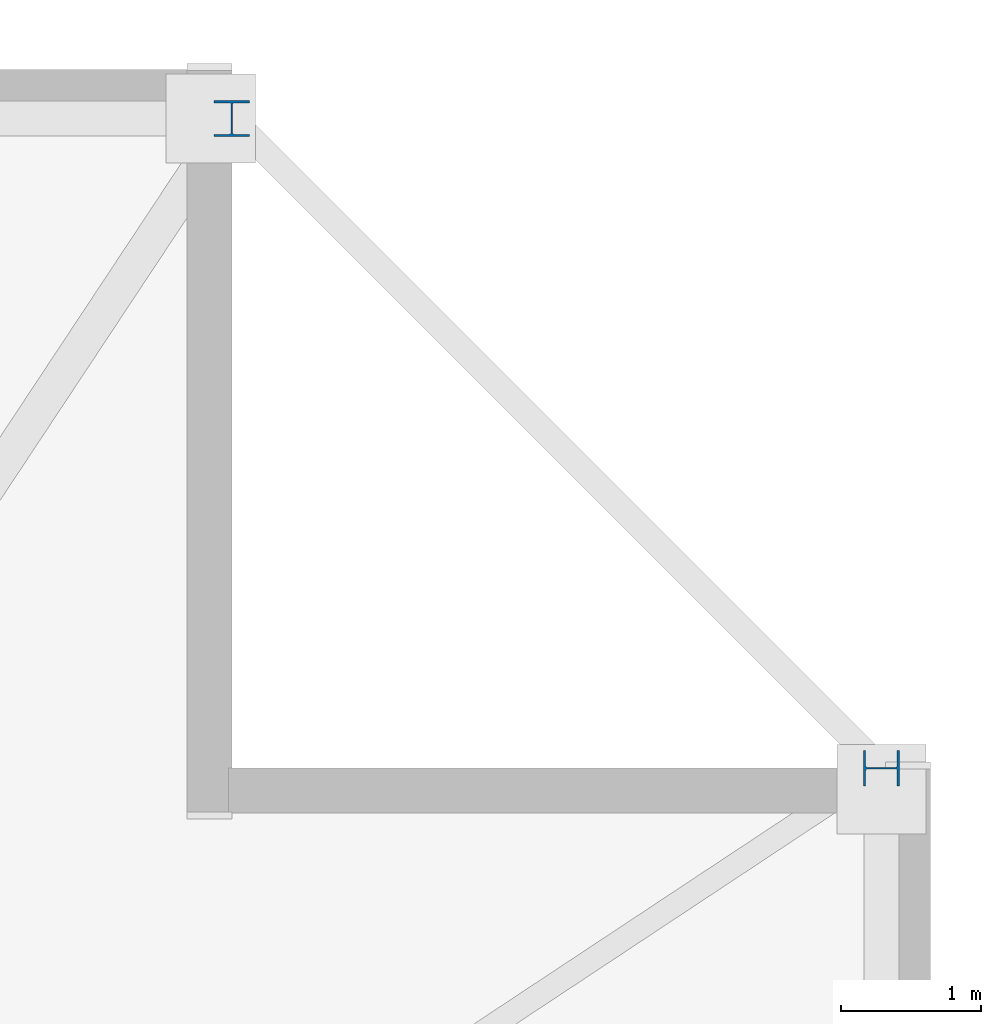
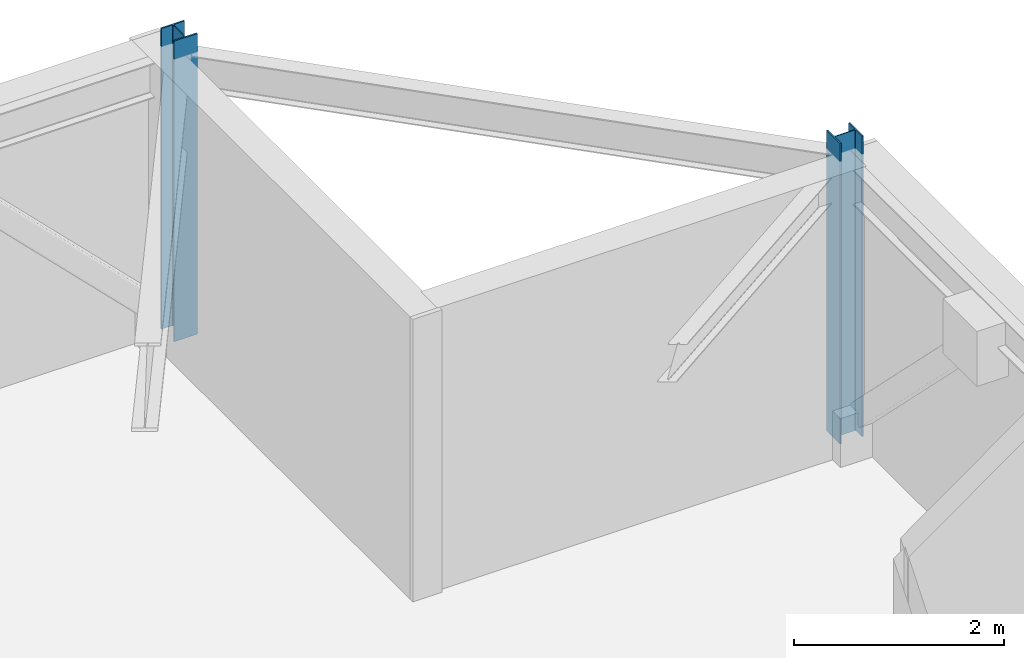
# One storey, part 5 of 16: 2 columns.
"""IFC4 building model written with IfcOpenShell, lengths in metres."""

from ifc_helpers import new_model, si_unit, direction, frame, origin, origin_2d, place, context, subcontext, project, spatial, i_section, extrude, material, material_profile, profile_set, type_object, element, save


model = new_model("IFC4")

# Units and contexts
model_context = context("Model", 3, precision=1e-05, world=origin(), true_north=direction((0.0, 1.0)))
body_context = subcontext(model_context, "Body", "Model", "MODEL_VIEW")
ifc_project = project(units=[si_unit("LENGTHUNIT", "METRE"), si_unit("AREAUNIT", "SQUARE_METRE"), si_unit("VOLUMEUNIT", "CUBIC_METRE"), si_unit("PLANEANGLEUNIT", "RADIAN"), si_unit("MASSUNIT", "GRAM", prefix="KILO")], contexts=[model_context])

# Site, building, storey
site_placement = place(None, origin())
site = spatial("IfcSite", under=ifc_project, at=site_placement, CompositionType="ELEMENT")
building_placement = place(site_placement, origin())
building = spatial("IfcBuilding", under=site, at=building_placement, Name="Cairnveth Concourse Tower", CompositionType="ELEMENT")
storey_placement = place(building_placement, frame((0.0, 0.0, 255.0)))
storey = spatial("IfcBuildingStorey", under=building, at=storey_placement, Name="L70", CompositionType="ELEMENT", Elevation=255.0)

# Columns
ifc_material = material(Name="Steel Grade 350", Category="steel")
ifc_material_profile = material_profile(ifc_material, i_section(OverallWidth=0.256103515625, OverallDepth=0.260009765625, WebThickness=0.010498046875, FlangeThickness=0.017333984375, FilletRadius=0.012939453125, at=origin_2d()), Name="250UC89.5")
ifc_profile_set = profile_set([ifc_material_profile], Name="Steel Grade 350")
column_type = type_object("IfcColumnType", Name="UNIVERSAL STEEL COLUMN 250UC89.5", PredefinedType="COLUMN", material=ifc_profile_set)
for number, where, z_axis, x_axis, name in (
    (1, (74.14990234375, 56.5, 0.0), (0.0, 0.0, 1.0), (0.0, 1.0, 0.0), "Column P-E4 L70"),
    (2, (69.5, 61.14990234375, 0.0), (0.0, 0.0, 1.0), (1.0, 0.0, 0.0), "Column P-N1 L70"),
):
    element("IfcColumn", number, at=place(storey_placement, frame(where, z_axis=z_axis, x_axis=x_axis)), inside=storey, type_object=column_type, Name=name, PredefinedType="COLUMN", context=body_context, shape_type="SweptSolid", body=[
        extrude(i_section(OverallWidth=0.256103515625, OverallDepth=0.260009765625, WebThickness=0.010498046875, FlangeThickness=0.017333984375, FilletRadius=0.012939453125, at=origin_2d()), origin(), (0.0, 0.0, 1.0), 3.5),
    ])

save(model, "model.ifc")
